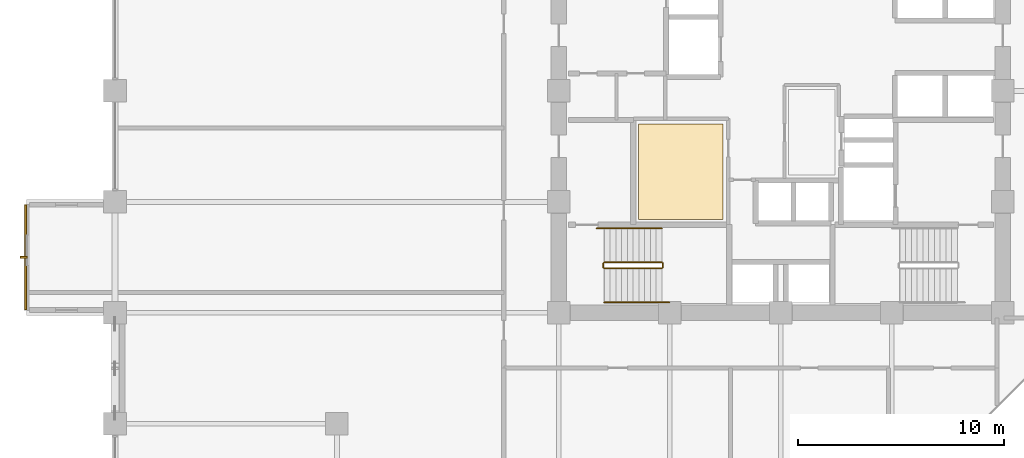
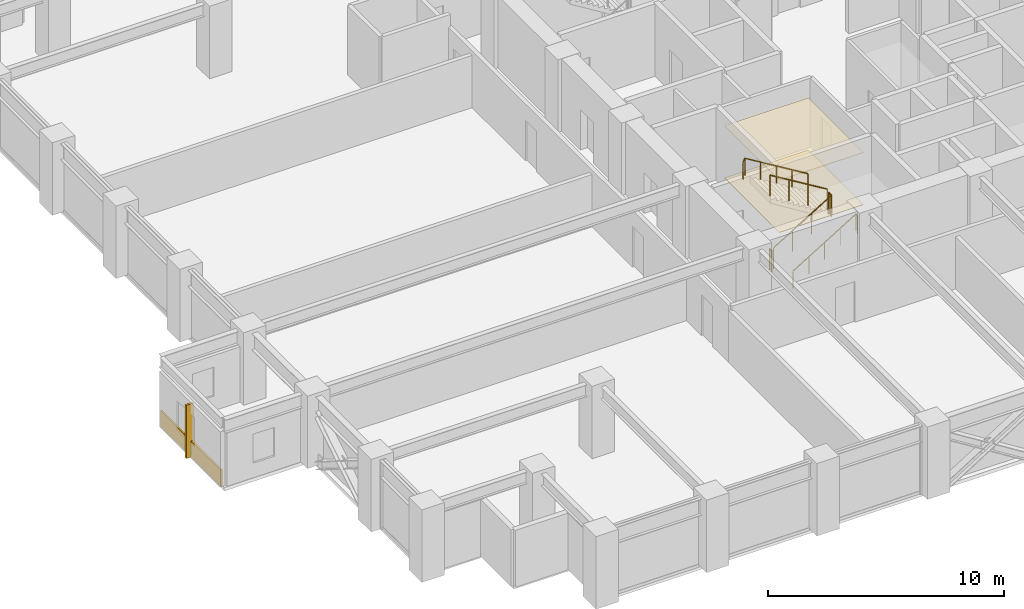
# One storey, part 26 of 29: 6 railings, 3 coverings, 1 shading device.
"""IFC4 building model written with IfcOpenShell, lengths in metres."""

from ifc_helpers import new_model, si_unit, direction, frame, origin, origin_2d, place, context, subcontext, project, spatial, polyline, rectangle, circle, outline, extrude, material, layer, layer_set, type_object, element, save


model = new_model("IFC4")

# Units and contexts
model_context = context("Model", 3, precision=1e-05, world=origin(), true_north=direction((0.0, 1.0)))
body_context = subcontext(model_context, "Body", "Model", "MODEL_VIEW")
ifc_project = project(units=[si_unit("LENGTHUNIT", "METRE"), si_unit("AREAUNIT", "SQUARE_METRE"), si_unit("VOLUMEUNIT", "CUBIC_METRE"), si_unit("PLANEANGLEUNIT", "RADIAN"), si_unit("MASSUNIT", "GRAM", prefix="KILO")], contexts=[model_context])

# Site, building, storey
site_placement = place(None, origin())
site = spatial("IfcSite", under=ifc_project, at=site_placement, CompositionType="ELEMENT")
building_placement = place(site_placement, origin())
building = spatial("IfcBuilding", under=site, at=building_placement, Name="Surkhivell Harbour Commons", CompositionType="ELEMENT")
storey_placement = place(building_placement, frame((0.0, 0.0, 87.0)))
storey = spatial("IfcBuildingStorey", under=building, at=storey_placement, Name="L22", CompositionType="ELEMENT", Elevation=87.0)

# Coverings
ifc_material_1 = material(Name="Moisture-resistant gypsum acoustic ceiling board", Category="other")
ifc_layer_1 = layer(ifc_material_1, 0.030029296875)
ifc_layer_set_1 = layer_set([ifc_layer_1], Name="Moisture-resistant gypsum acoustic ceiling board")
covering_type_1 = type_object("IfcCoveringType", Name="COV-CEIL-GYP", PredefinedType="CEILING", material=ifc_layer_set_1)
covering_1_placement = place(storey_placement, frame((0.0, 0.0, 2.68896484375)))
element("IfcCovering", 1, at=covering_1_placement, inside=storey, type_object=covering_type_1, Name="L22 Suspended Acoustic Ceiling 2", PredefinedType="CEILING", context=body_context, shape_type="SweptSolid", body=[
    extrude(outline(polyline([(-6.929931640625, -6.260009765625), (-2.820068359375, -6.260009765625), (-2.820068359375, -1.60009765625), (-6.929931640625, -1.60009765625), (-6.929931640625, -6.260009765625)])), origin(), (0.0, 0.0, 1.0), 0.030029296875),
])
ifc_material_2 = material(Name="Saffron-gold enamelled aluminium cassette panel", Category="aluminium")
ifc_layer_2 = layer(ifc_material_2, 0.070068359375)
ifc_layer_set_2 = layer_set([ifc_layer_2], Name="Saffron-gold enamelled aluminium cassette panel")
covering_type_2 = type_object("IfcCoveringType", Name="COV-CLAD-SAF", PredefinedType="CLADDING", material=ifc_layer_set_2)
covering_2_placement = place(storey_placement, frame((-36.739990234375, -8.10009765625, 0.0), z_axis=(0.0, 0.0, 1.0), x_axis=(1.0, 0.0, 0.0)))
element("IfcCovering", 2, at=covering_2_placement, inside=storey, type_object=covering_type_2, Name="L22 Coloured-Panel Box Spandrel Cassette 02", PredefinedType="CLADDING", context=body_context, shape_type="SweptSolid", body=[
    extrude(rectangle(XDim=0.080078125, YDim=5.10009765625, at=origin_2d()), origin(), (0.0, 0.0, 1.0), 0.840087890625),
])
ifc_material_3 = material(Name="Engineered acoustic oak timber flooring", Category="wood")
ifc_layer_3 = layer(ifc_material_3, 0.02001953125)
ifc_layer_set_3 = layer_set([ifc_layer_3], Name="Engineered acoustic oak timber flooring")
covering_type_3 = type_object("IfcCoveringType", Name="COV-FLR-TIM", PredefinedType="FLOORING", material=ifc_layer_set_3)
covering_3_placement = place(storey_placement, origin())
element("IfcCovering", 3, at=covering_3_placement, inside=storey, type_object=covering_type_3, Name="L22 Interior Floor Finish 2", PredefinedType="FLOORING", context=body_context, shape_type="SweptSolid", body=[
    extrude(outline(polyline([(-6.929931640625, -6.260009765625), (-2.820068359375, -6.260009765625), (-2.820068359375, -1.60009765625), (-6.929931640625, -1.60009765625), (-6.929931640625, -6.260009765625)])), origin(), (0.0, 0.0, 1.0), 0.02001953125),
])

# Railings
ifc_material_4 = material(Name="Galvanised and painted steel S355 guard rail", Category="steel")
railing_type_1 = type_object("IfcRailingType", Name="RAL-ST-GRD1100", PredefinedType="GUARDRAIL", material=ifc_material_4)
railing_1_placement = place(storey_placement, frame((-8.590087890625, -8.639892578125, 0.17041015625)))
element("IfcRailing", 4, at=railing_1_placement, inside=storey, type_object=railing_type_1, Name="L22 ST3 stair guard 1", PredefinedType="GUARDRAIL", context=body_context, shape_type="SweptSolid", body=[
    extrude(circle(Radius=0.02392578125, at=origin_2d()), frame((0.0, 0.0, 1.076171875), z_axis=(0.854169791009, 0.0, 0.51999420009), x_axis=(0.0, 1.0, 0.0)), (0.0, 0.0, 1.0), 3.278076171875),
    extrude(circle(Radius=0.02099609375, at=origin_2d()), origin(), (0.0, 0.0, 1.0), 1.052001953125),
    extrude(circle(Radius=0.02099609375, at=origin_2d()), frame((0.933349609375, 0.0, 0.568115234375)), (0.0, 0.0, 1.0), 1.052001953125),
    extrude(circle(Radius=0.02099609375, at=origin_2d()), frame((1.86669921875, 0.0, 1.136474609375)), (0.0, 0.0, 1.0), 1.052001953125),
    extrude(circle(Radius=0.02099609375, at=origin_2d()), frame((2.800048828125, 0.0, 1.70458984375)), (0.0, 0.0, 1.0), 1.052001953125),
])
railing_2_placement = place(storey_placement, frame((-5.739990234375, -8.590087890625, 1.875)))
element("IfcRailing", 5, at=railing_2_placement, inside=storey, type_object=railing_type_1, Name="L22 ST3 stair guard 2", PredefinedType="GUARDRAIL", context=body_context, shape_type="SweptSolid", body=[
    extrude(circle(Radius=0.02392578125, at=origin_2d()), frame((0.0, 0.0, 1.076171875), z_axis=(0.0, 1.0, 0.0), x_axis=(-1.0, 0.0, 0.0)), (0.0, 0.0, 1.0), 0.2001953125),
    extrude(circle(Radius=0.02099609375, at=origin_2d()), origin(), (0.0, 0.0, 1.0), 1.052001953125),
    extrude(circle(Radius=0.02099609375, at=origin_2d()), frame((0.0, 0.2001953125, 0.0)), (0.0, 0.0, 1.0), 1.052001953125),
])
railing_3_placement = place(storey_placement, frame((-5.7900390625, -8.340087890625, 2.04541015625)))
element("IfcRailing", 6, at=railing_3_placement, inside=storey, type_object=railing_type_1, Name="L22 ST3 stair guard 3", PredefinedType="GUARDRAIL", context=body_context, shape_type="SweptSolid", body=[
    extrude(circle(Radius=0.02392578125, at=origin_2d()), frame((0.0, 0.0, 1.076171875), z_axis=(-0.854169791009, 0.0, 0.51999420009), x_axis=(0.0, -1.0, 0.0)), (0.0, 0.0, 1.0), 3.278076171875),
    extrude(circle(Radius=0.02099609375, at=origin_2d()), origin(), (0.0, 0.0, 1.0), 1.052001953125),
    extrude(circle(Radius=0.02099609375, at=origin_2d()), frame((-0.933349609375, 0.0, 0.568115234375)), (0.0, 0.0, 1.0), 1.052001953125),
    extrude(circle(Radius=0.02099609375, at=origin_2d()), frame((-1.86669921875, 0.0, 1.136474609375)), (0.0, 0.0, 1.0), 1.052001953125),
    extrude(circle(Radius=0.02099609375, at=origin_2d()), frame((-2.800048828125, 0.0, 1.70458984375)), (0.0, 0.0, 1.0), 1.052001953125),
])
railing_4_placement = place(storey_placement, frame((-8.639892578125, -8.590087890625, 0.0)))
element("IfcRailing", 7, at=railing_4_placement, inside=storey, type_object=railing_type_1, Name="L22 ST3 stair guard 4", PredefinedType="GUARDRAIL", context=body_context, shape_type="SweptSolid", body=[
    extrude(circle(Radius=0.02392578125, at=origin_2d()), frame((0.0, 0.0, 1.076171875), z_axis=(0.0, 1.0, 0.0), x_axis=(-1.0, 0.0, 0.0)), (0.0, 0.0, 1.0), 0.2001953125),
    extrude(circle(Radius=0.02099609375, at=origin_2d()), origin(), (0.0, 0.0, 1.0), 1.052001953125),
    extrude(circle(Radius=0.02099609375, at=origin_2d()), frame((0.0, 0.2001953125, 0.0)), (0.0, 0.0, 1.0), 1.052001953125),
])
ifc_material_5 = material(Name="Brushed stainless steel S355 handrail", Category="steel")
railing_type_2 = type_object("IfcRailingType", Name="RAL-ST-HND900", PredefinedType="HANDRAIL", material=ifc_material_5)
railing_5_placement = place(storey_placement, frame((-8.590087890625, -10.2900390625, 0.17041015625)))
element("IfcRailing", 8, at=railing_5_placement, inside=storey, type_object=railing_type_2, Name="L22 ST3 stair handrail 1", PredefinedType="HANDRAIL", context=body_context, shape_type="SweptSolid", body=[
    extrude(circle(Radius=0.02392578125, at=origin_2d()), frame((0.0, 0.0, 0.8759765625), z_axis=(0.854177636135, 0.0, 0.519981313056), x_axis=(0.0, 1.0, 0.0)), (0.0, 0.0, 1.0), 3.60595703125),
    extrude(circle(Radius=0.02392578125, at=origin_2d()), frame((3.080078125, 0.0, 2.7509765625), z_axis=(0.425297416671, 0.0, -0.905053648892), x_axis=(0.0, 1.0, 0.0)), (0.0, 0.0, 1.0), 0.188232421875),
    extrude(circle(Radius=0.02099609375, at=origin_2d()), origin(), (0.0, 0.0, 1.0), 0.851806640625),
    extrude(circle(Radius=0.02099609375, at=origin_2d()), frame((0.77001953125, 0.0, 0.46875)), (0.0, 0.0, 1.0), 0.851806640625),
    extrude(circle(Radius=0.02099609375, at=origin_2d()), frame((1.5400390625, 0.0, 0.9375)), (0.0, 0.0, 1.0), 0.851806640625),
    extrude(circle(Radius=0.02099609375, at=origin_2d()), frame((2.31005859375, 0.0, 1.40625)), (0.0, 0.0, 1.0), 0.851806640625),
    extrude(circle(Radius=0.02099609375, at=origin_2d()), frame((3.080078125, 0.0, 1.875)), (0.0, 0.0, 1.0), 0.851806640625),
    extrude(circle(Radius=0.02099609375, at=origin_2d()), frame((3.16015625, 0.0, 1.70458984375)), (0.0, 0.0, 1.0), 0.851806640625),
])
railing_6_placement = place(storey_placement, frame((-5.7900390625, -6.68994140625, 2.04541015625)))
element("IfcRailing", 9, at=railing_6_placement, inside=storey, type_object=railing_type_2, Name="L22 ST3 stair handrail 2", PredefinedType="HANDRAIL", context=body_context, shape_type="SweptSolid", body=[
    extrude(circle(Radius=0.02392578125, at=origin_2d()), frame((0.0, 0.0, 0.8759765625), z_axis=(-0.854177636135, 0.0, 0.519981313056), x_axis=(0.0, -1.0, 0.0)), (0.0, 0.0, 1.0), 3.60595703125),
    extrude(circle(Radius=0.02392578125, at=origin_2d()), frame((-3.080078125, 0.0, 2.7509765625), z_axis=(-0.424234432967, 0.0, -0.905552398199), x_axis=(0.0, -1.0, 0.0)), (0.0, 0.0, 1.0), 0.188232421875),
    extrude(circle(Radius=0.02099609375, at=origin_2d()), origin(), (0.0, 0.0, 1.0), 0.851806640625),
    extrude(circle(Radius=0.02099609375, at=origin_2d()), frame((-0.77001953125, 0.0, 0.46875)), (0.0, 0.0, 1.0), 0.851806640625),
    extrude(circle(Radius=0.02099609375, at=origin_2d()), frame((-1.5400390625, 0.0, 0.9375)), (0.0, 0.0, 1.0), 0.851806640625),
    extrude(circle(Radius=0.02099609375, at=origin_2d()), frame((-2.31005859375, 0.0, 1.40625)), (0.0, 0.0, 1.0), 0.851806640625),
    extrude(circle(Radius=0.02099609375, at=origin_2d()), frame((-3.080078125, 0.0, 1.875)), (0.0, 0.0, 1.0), 0.851806640625),
    extrude(circle(Radius=0.02099609375, at=origin_2d()), frame((-3.159912109375, 0.0, 1.70458984375)), (0.0, 0.0, 1.0), 0.851806640625),
])

# Shading device
ifc_material_6 = material(Name="Anodised pale-metal aluminium solar fin", Category="aluminium")
shading_device_type = type_object("IfcShadingDeviceType", Name="SHD-FIN-VERT", PredefinedType="USERDEFINED", material=ifc_material_6)
shading_device_placement = place(storey_placement, frame((-36.840087890625, -8.10009765625, 0.0048828125), z_axis=(0.0, 0.0, 1.0), x_axis=(1.0, 0.0, 0.0)))
element("IfcShadingDevice", 10, at=shading_device_placement, inside=storey, type_object=shading_device_type, Name="L22 Coloured-Box Solar Fin 02", ObjectType="FIN", PredefinedType="USERDEFINED", context=body_context, shape_type="SweptSolid", body=[
    extrude(rectangle(XDim=0.360107421875, YDim=0.090087890625, at=origin_2d()), origin(), (0.0, 0.0, 1.0), 2.75),
])

save(model, "model.ifc")
